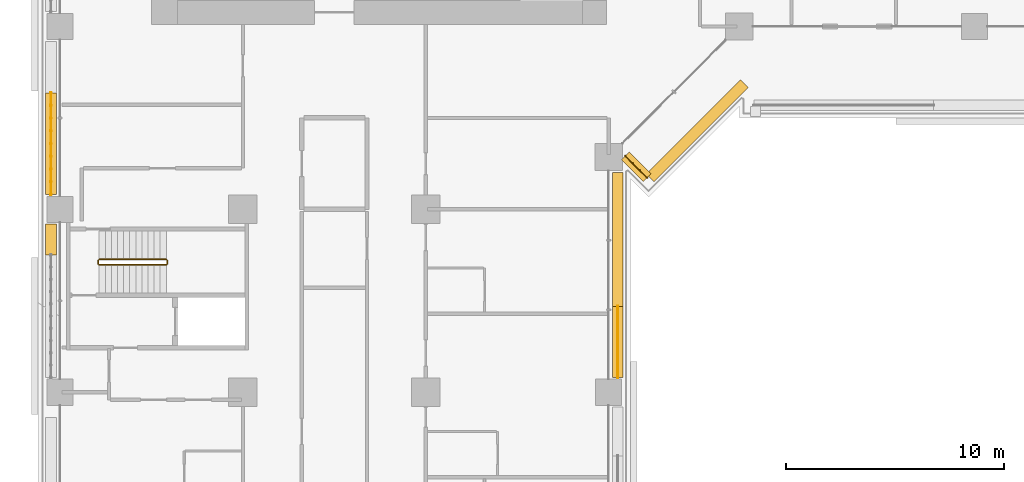
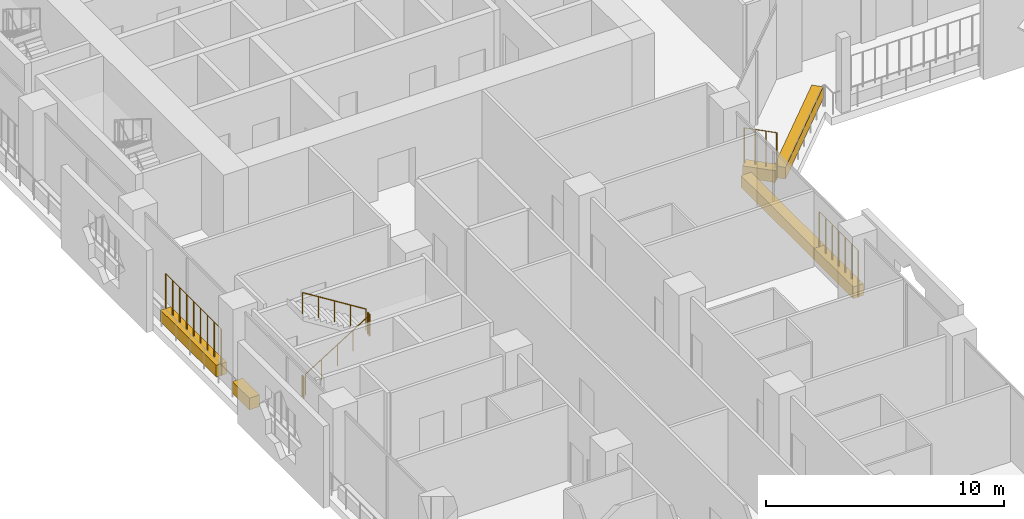
# One storey, part 22 of 28: 7 railings, 6 coverings.
"""IFC4 building model written with IfcOpenShell, lengths in metres."""

from ifc_helpers import new_model, si_unit, direction, frame, origin, origin_2d, place, context, subcontext, project, spatial, rectangle, circle, extrude, material, material_profile, profile_set, type_object, element, save


model = new_model("IFC4")

# Units and contexts
model_context = context("Model", 3, precision=1e-05, world=origin(), true_north=direction((0.0, 1.0)))
body_context = subcontext(model_context, "Body", "Model", "MODEL_VIEW")
ifc_project = project(units=[si_unit("LENGTHUNIT", "METRE"), si_unit("AREAUNIT", "SQUARE_METRE"), si_unit("VOLUMEUNIT", "CUBIC_METRE"), si_unit("PLANEANGLEUNIT", "RADIAN"), si_unit("MASSUNIT", "GRAM", prefix="KILO")], contexts=[model_context])

# Site, building, storey
site_placement = place(None, origin())
site = spatial("IfcSite", under=ifc_project, at=site_placement, CompositionType="ELEMENT")
building_placement = place(site_placement, origin())
building = spatial("IfcBuilding", under=site, at=building_placement, Name="Kawkab Arch Medical Tower", CompositionType="ELEMENT")
storey_placement = place(building_placement, frame((0.0, 0.0, 81.199951171875)))
storey = spatial("IfcBuildingStorey", under=building, at=storey_placement, Name="L18", CompositionType="ELEMENT", Elevation=81.199951171875)

# Coverings
ifc_material_1 = material(Name="Planting soil in a precast trough", Category="concrete")
ifc_material_profile = material_profile(ifc_material_1, rectangle(XDim=0.5, YDim=0.60009765625, at=origin_2d()), Name="Trough 500x600")
ifc_profile_set = profile_set([ifc_material_profile], Name="Planting soil in a precast trough")
covering_type = type_object("IfcCoveringType", Name="Planter trough 500 x 600", PredefinedType="USERDEFINED", material=ifc_profile_set)
covering_1_placement = place(storey_placement, frame((-0.419921875, -35.699951171875, 0.300048828125), z_axis=(0.0, 1.0, 0.0), x_axis=(-1.0, 0.0, 0.0)))
element("IfcCovering", 1, at=covering_1_placement, inside=storey, type_object=covering_type, Name="Planter L18.LOG-01-01.10", ObjectType="PLANTER", PredefinedType="USERDEFINED", context=body_context, shape_type="SweptSolid", body=[
    extrude(rectangle(XDim=0.5, YDim=0.60009765625, at=origin_2d()), origin(), (0.0, 0.0, 1.0), 1.419921875),
])
covering_2_placement = place(storey_placement, frame((-0.419921875, -32.919921875, 0.300048828125), z_axis=(0.0, 1.0, 0.0), x_axis=(-1.0, 0.0, 0.0)))
element("IfcCovering", 2, at=covering_2_placement, inside=storey, type_object=covering_type, Name="Planter L18.LOG-01-01.11", ObjectType="PLANTER", PredefinedType="USERDEFINED", context=body_context, shape_type="SweptSolid", body=[
    extrude(rectangle(XDim=0.5, YDim=0.60009765625, at=origin_2d()), origin(), (0.0, 0.0, 1.0), 4.676025390625),
])
covering_3_placement = place(storey_placement, frame((31.43701171875, -27.820068359375, 0.300048828125), z_axis=(-0.707206504313, -0.707007043994, 0.0), x_axis=(0.707007043994, -0.707206504313, 0.0)))
element("IfcCovering", 3, at=covering_3_placement, inside=storey, type_object=covering_type, Name="Planter L18.LOG-01-01.42", ObjectType="PLANTER", PredefinedType="USERDEFINED", context=body_context, shape_type="SweptSolid", body=[
    extrude(rectangle(XDim=0.5, YDim=0.60009765625, at=origin_2d()), origin(), (0.0, 0.0, 1.0), 6.1201171875),
])
covering_4_placement = place(storey_placement, frame((26.967041015625, -32.14697265625, 0.300048828125), z_axis=(-0.707192746389, 0.707020805532, 0.0), x_axis=(-0.707020805532, -0.707192746389, 0.0)))
element("IfcCovering", 4, at=covering_4_placement, inside=storey, type_object=covering_type, Name="Planter L18.LOG-01-01.43", ObjectType="PLANTER", PredefinedType="USERDEFINED", context=body_context, shape_type="SweptSolid", body=[
    extrude(rectangle(XDim=0.5, YDim=0.60009765625, at=origin_2d()), origin(), (0.0, 0.0, 1.0), 1.419921875),
])
covering_5_placement = place(storey_placement, frame((25.6201171875, -31.905029296875, 0.300048828125), z_axis=(0.0, -1.0, 0.0), x_axis=(1.0, 0.0, 0.0)))
element("IfcCovering", 5, at=covering_5_placement, inside=storey, type_object=covering_type, Name="Planter L18.LOG-01-01.44", ObjectType="PLANTER", PredefinedType="USERDEFINED", context=body_context, shape_type="SweptSolid", body=[
    extrude(rectangle(XDim=0.5, YDim=0.60009765625, at=origin_2d()), origin(), (0.0, 0.0, 1.0), 6.14794921875),
])
covering_6_placement = place(storey_placement, frame((25.6201171875, -38.052978515625, 0.300048828125), z_axis=(0.0, -1.0, 0.0), x_axis=(1.0, 0.0, 0.0)))
element("IfcCovering", 6, at=covering_6_placement, inside=storey, type_object=covering_type, Name="Planter L18.LOG-01-01.45", ObjectType="PLANTER", PredefinedType="USERDEFINED", context=body_context, shape_type="SweptSolid", body=[
    extrude(rectangle(XDim=0.5, YDim=0.60009765625, at=origin_2d()), origin(), (0.0, 0.0, 1.0), 3.26708984375),
])

# Railings
ifc_material_2 = material(Name="Bronze anodised aluminium trellis for climbing plants", Category="aluminium")
railing_type_1 = type_object("IfcRailingType", Name="Planting trellis 2400", PredefinedType="USERDEFINED", material=ifc_material_2)
railing_1_placement = place(storey_placement, frame((-0.419921875, -32.919921875, 0.0)))
element("IfcRailing", 7, at=railing_1_placement, inside=storey, type_object=railing_type_1, Name="Planting trellis L18.LOG-01-01.11", ObjectType="TRELLIS", PredefinedType="USERDEFINED", context=body_context, shape_type="SweptSolid", body=[
    extrude(circle(Radius=0.01513671875, at=origin_2d()), frame((0.0, 0.0, 2.384765625), z_axis=(0.0, 1.0, 0.0), x_axis=(-1.0, 0.0, 0.0)), (0.0, 0.0, 1.0), 4.676025390625),
    extrude(circle(Radius=0.030029296875, at=origin_2d()), origin(), (0.0, 0.0, 1.0), 2.369873046875),
    extrude(circle(Radius=0.030029296875, at=origin_2d()), frame((0.0, 0.58447265625, 0.0)), (0.0, 0.0, 1.0), 2.369873046875),
    extrude(circle(Radius=0.030029296875, at=origin_2d()), frame((0.0, 1.1689453125, 0.0)), (0.0, 0.0, 1.0), 2.369873046875),
    extrude(circle(Radius=0.030029296875, at=origin_2d()), frame((0.0, 1.75341796875, 0.0)), (0.0, 0.0, 1.0), 2.369873046875),
    extrude(circle(Radius=0.030029296875, at=origin_2d()), frame((0.0, 2.337890625, 0.0)), (0.0, 0.0, 1.0), 2.369873046875),
    extrude(circle(Radius=0.030029296875, at=origin_2d()), frame((0.0, 2.922607421875, 0.0)), (0.0, 0.0, 1.0), 2.369873046875),
    extrude(circle(Radius=0.030029296875, at=origin_2d()), frame((0.0, 3.507080078125, 0.0)), (0.0, 0.0, 1.0), 2.369873046875),
    extrude(circle(Radius=0.030029296875, at=origin_2d()), frame((0.0, 4.091552734375, 0.0)), (0.0, 0.0, 1.0), 2.369873046875),
    extrude(circle(Radius=0.030029296875, at=origin_2d()), frame((0.0, 4.676025390625, 0.0)), (0.0, 0.0, 1.0), 2.369873046875),
])
railing_2_placement = place(storey_placement, frame((26.967041015625, -32.14697265625, 0.0)))
element("IfcRailing", 8, at=railing_2_placement, inside=storey, type_object=railing_type_1, Name="Planting trellis L18.LOG-01-01.43", ObjectType="TRELLIS", PredefinedType="USERDEFINED", context=body_context, shape_type="SweptSolid", body=[
    extrude(circle(Radius=0.01513671875, at=origin_2d()), frame((0.0, 0.0, 2.384765625), z_axis=(-0.707192746389, 0.707020805532, 0.0), x_axis=(-0.707020805532, -0.707192746389, 0.0)), (0.0, 0.0, 1.0), 1.419921875),
    extrude(circle(Radius=0.030029296875, at=origin_2d()), origin(), (0.0, 0.0, 1.0), 2.369873046875),
    extrude(circle(Radius=0.030029296875, at=origin_2d()), frame((-0.334716796875, 0.334716796875, 0.0)), (0.0, 0.0, 1.0), 2.369873046875),
    extrude(circle(Radius=0.030029296875, at=origin_2d()), frame((-0.66943359375, 0.669189453125, 0.0)), (0.0, 0.0, 1.0), 2.369873046875),
    extrude(circle(Radius=0.030029296875, at=origin_2d()), frame((-1.004150390625, 1.00390625, 0.0)), (0.0, 0.0, 1.0), 2.369873046875),
])
railing_3_placement = place(storey_placement, frame((25.6201171875, -38.052978515625, 0.0)))
element("IfcRailing", 9, at=railing_3_placement, inside=storey, type_object=railing_type_1, Name="Planting trellis L18.LOG-01-01.45", ObjectType="TRELLIS", PredefinedType="USERDEFINED", context=body_context, shape_type="SweptSolid", body=[
    extrude(circle(Radius=0.01513671875, at=origin_2d()), frame((0.0, 0.0, 2.384765625), z_axis=(0.0, -1.0, 0.0), x_axis=(1.0, 0.0, 0.0)), (0.0, 0.0, 1.0), 3.26708984375),
    extrude(circle(Radius=0.030029296875, at=origin_2d()), origin(), (0.0, 0.0, 1.0), 2.369873046875),
    extrude(circle(Radius=0.030029296875, at=origin_2d()), frame((0.0, -0.54443359375, 0.0)), (0.0, 0.0, 1.0), 2.369873046875),
    extrude(circle(Radius=0.030029296875, at=origin_2d()), frame((0.0, -1.089111328125, 0.0)), (0.0, 0.0, 1.0), 2.369873046875),
    extrude(circle(Radius=0.030029296875, at=origin_2d()), frame((0.0, -1.633544921875, 0.0)), (0.0, 0.0, 1.0), 2.369873046875),
    extrude(circle(Radius=0.030029296875, at=origin_2d()), frame((0.0, -2.177978515625, 0.0)), (0.0, 0.0, 1.0), 2.369873046875),
    extrude(circle(Radius=0.030029296875, at=origin_2d()), frame((0.0, -2.72265625, 0.0)), (0.0, 0.0, 1.0), 2.369873046875),
    extrude(circle(Radius=0.030029296875, at=origin_2d()), frame((0.0, -3.26708984375, 0.0)), (0.0, 0.0, 1.0), 2.369873046875),
])
ifc_material_3 = material(Name="Stainless steel", Category="steel")
railing_type_2 = type_object("IfcRailingType", Name="Stair guard 1100", PredefinedType="GUARDRAIL", material=ifc_material_3)
railing_4_placement = place(storey_placement, frame((1.800048828125, -36.14990234375, 0.175048828125)))
element("IfcRailing", 10, at=railing_4_placement, inside=storey, type_object=railing_type_2, Name="L18 ST6 stair guard 1", PredefinedType="GUARDRAIL", context=body_context, shape_type="SweptSolid", body=[
    extrude(circle(Radius=0.02392578125, at=origin_2d()), frame((0.0, 0.0, 1.076171875), z_axis=(0.847979421464, 0.0, 0.530029150871), x_axis=(0.0, 1.0, 0.0)), (0.0, 0.0, 1.0), 3.632080078125),
    extrude(circle(Radius=0.02099609375, at=origin_2d()), origin(), (0.0, 0.0, 1.0), 1.052001953125),
    extrude(circle(Radius=0.02099609375, at=origin_2d()), frame((0.77001953125, 0.0, 0.481201171875)), (0.0, 0.0, 1.0), 1.052001953125),
    extrude(circle(Radius=0.02099609375, at=origin_2d()), frame((1.5400390625, 0.0, 0.96240234375)), (0.0, 0.0, 1.0), 1.052001953125),
    extrude(circle(Radius=0.02099609375, at=origin_2d()), frame((2.309814453125, 0.0, 1.44384765625)), (0.0, 0.0, 1.0), 1.052001953125),
    extrude(circle(Radius=0.02099609375, at=origin_2d()), frame((3.079833984375, 0.0, 1.925048828125)), (0.0, 0.0, 1.0), 1.052001953125),
])
railing_5_placement = place(storey_placement, frame((4.929931640625, -36.10009765625, 2.10009765625)))
element("IfcRailing", 11, at=railing_5_placement, inside=storey, type_object=railing_type_2, Name="L18 ST6 stair guard 2", PredefinedType="GUARDRAIL", context=body_context, shape_type="SweptSolid", body=[
    extrude(circle(Radius=0.02392578125, at=origin_2d()), frame((0.0, 0.0, 1.076171875), z_axis=(0.0, 1.0, 0.0), x_axis=(-1.0, 0.0, 0.0)), (0.0, 0.0, 1.0), 0.150146484375),
    extrude(circle(Radius=0.02099609375, at=origin_2d()), origin(), (0.0, 0.0, 1.0), 1.052001953125),
    extrude(circle(Radius=0.02099609375, at=origin_2d()), frame((0.0, 0.150146484375, 0.0)), (0.0, 0.0, 1.0), 1.052001953125),
])
railing_6_placement = place(storey_placement, frame((4.8798828125, -35.89990234375, 2.275146484375)))
element("IfcRailing", 12, at=railing_6_placement, inside=storey, type_object=railing_type_2, Name="L18 ST6 stair guard 3", PredefinedType="GUARDRAIL", context=body_context, shape_type="SweptSolid", body=[
    extrude(circle(Radius=0.02392578125, at=origin_2d()), frame((0.0, 0.0, 1.076171875), z_axis=(-0.848009633417, 0.0, 0.529980812513), x_axis=(0.0, -1.0, 0.0)), (0.0, 0.0, 1.0), 3.6318359375),
    extrude(circle(Radius=0.02099609375, at=origin_2d()), origin(), (0.0, 0.0, 1.0), 1.052001953125),
    extrude(circle(Radius=0.02099609375, at=origin_2d()), frame((-0.77001953125, 0.0, 0.481201171875)), (0.0, 0.0, 1.0), 1.052001953125),
    extrude(circle(Radius=0.02099609375, at=origin_2d()), frame((-1.5400390625, 0.0, 0.96240234375)), (0.0, 0.0, 1.0), 1.052001953125),
    extrude(circle(Radius=0.02099609375, at=origin_2d()), frame((-2.309814453125, 0.0, 1.443603515625)), (0.0, 0.0, 1.0), 1.052001953125),
    extrude(circle(Radius=0.02099609375, at=origin_2d()), frame((-3.079833984375, 0.0, 1.9248046875)), (0.0, 0.0, 1.0), 1.052001953125),
])
railing_7_placement = place(storey_placement, frame((1.75, -36.10009765625, 0.0)))
element("IfcRailing", 13, at=railing_7_placement, inside=storey, type_object=railing_type_2, Name="L18 ST6 stair guard 4", PredefinedType="GUARDRAIL", context=body_context, shape_type="SweptSolid", body=[
    extrude(circle(Radius=0.02392578125, at=origin_2d()), frame((0.0, 0.0, 1.076171875), z_axis=(0.0, 1.0, 0.0), x_axis=(-1.0, 0.0, 0.0)), (0.0, 0.0, 1.0), 0.150146484375),
    extrude(circle(Radius=0.02099609375, at=origin_2d()), origin(), (0.0, 0.0, 1.0), 1.052001953125),
    extrude(circle(Radius=0.02099609375, at=origin_2d()), frame((0.0, 0.150146484375, 0.0)), (0.0, 0.0, 1.0), 1.052001953125),
])

save(model, "model.ifc")
